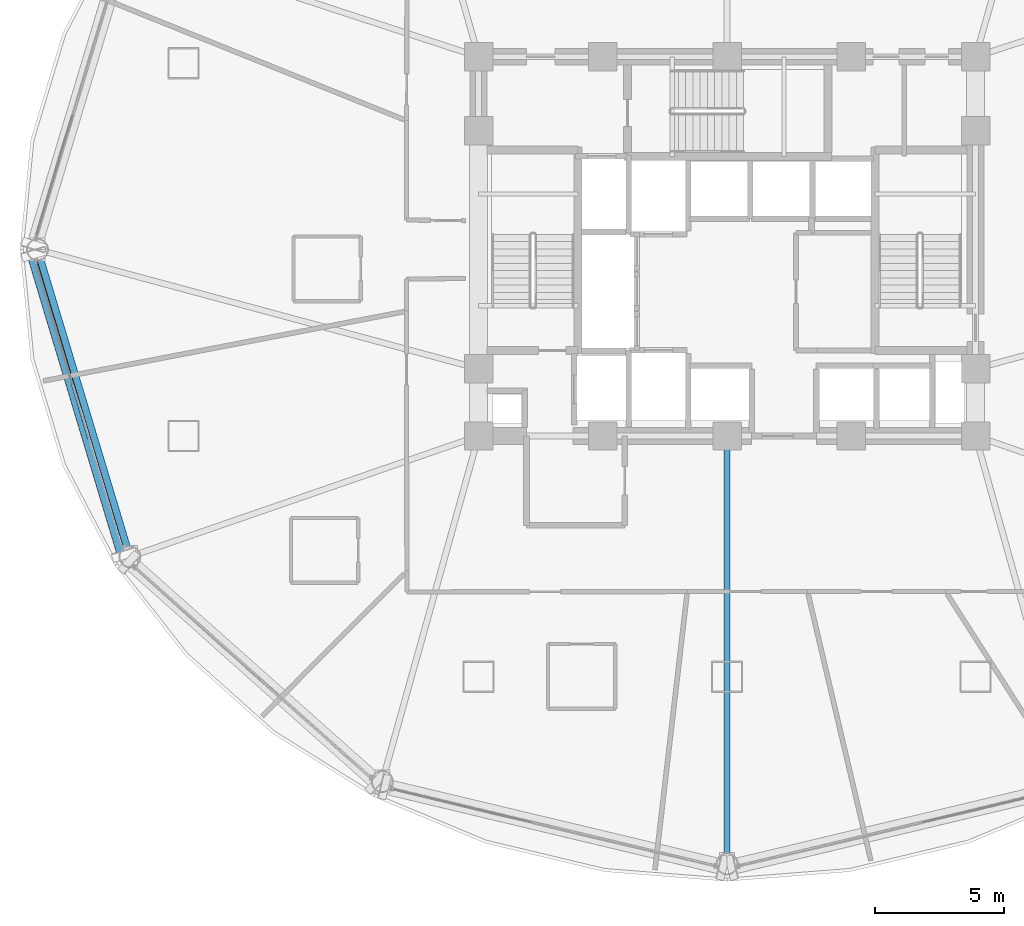
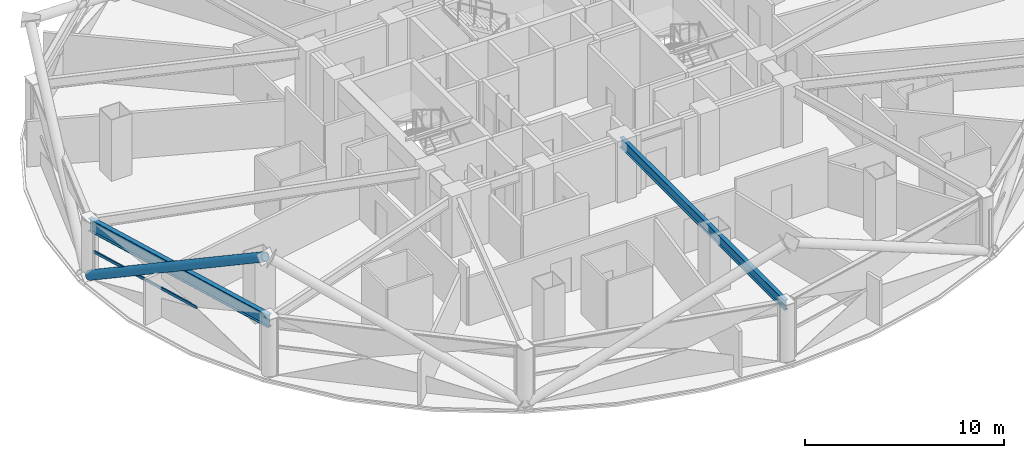
# One storey, part 5 of 31: 2 beams, 2 members, 1 element without a shape of its own.
"""IFC4 building model written with IfcOpenShell, lengths in metres."""

from ifc_helpers import new_model, si_unit, direction, frame, origin, origin_2d, place, context, subcontext, project, spatial, hollow_rectangle, hollow_circle, i_section, extrude, material, layer, layer_set, material_profile, profile_set, type_object, element, aggregate, save


model = new_model("IFC4")

# Units and contexts
model_context = context("Model", 3, precision=1e-05, world=origin(), true_north=direction((0.0, 1.0)))
body_context = subcontext(model_context, "Body", "Model", "MODEL_VIEW")
ifc_project = project(units=[si_unit("LENGTHUNIT", "METRE"), si_unit("AREAUNIT", "SQUARE_METRE"), si_unit("VOLUMEUNIT", "CUBIC_METRE"), si_unit("PLANEANGLEUNIT", "RADIAN"), si_unit("MASSUNIT", "GRAM", prefix="KILO")], contexts=[model_context])

# Site, building, storey
site_placement = place(None, origin())
site = spatial("IfcSite", under=ifc_project, at=site_placement, CompositionType="ELEMENT")
building_placement = place(site_placement, origin())
building = spatial("IfcBuilding", under=site, at=building_placement, Name="Vantalir Tower", CompositionType="ELEMENT")
storey_placement = place(building_placement, frame((0.0, 0.0, 42.0)))
storey = spatial("IfcBuildingStorey", under=building, at=storey_placement, Name="L09", CompositionType="ELEMENT", Elevation=42.0)

# Beams
ifc_material_1 = material(Name="Steel S355", Category="steel")
ifc_material_profile_1 = material_profile(ifc_material_1, i_section(OverallWidth=0.22998046875, OverallDepth=0.616943359375, WebThickness=0.01318359375, FlangeThickness=0.022216796875, at=origin_2d()), Name="Steel S355")
ifc_profile_set_1 = profile_set([ifc_material_profile_1], Name="Steel S355")
beam_type_1 = type_object("IfcBeamType", Name="BM-RB-610x229", PredefinedType="BEAM", material=ifc_profile_set_1)
beam_1_placement = place(storey_placement, frame((31.5, 1.27392578125, 3.261962890625), z_axis=(0.0, 1.0, 0.0), x_axis=(-1.0, 0.0, 0.0)))
element("IfcBeam", 1, at=beam_1_placement, inside=storey, type_object=beam_type_1, Name="L09 Radial Floor Beam 10", PredefinedType="BEAM", context=body_context, shape_type="SweptSolid", body=[
    extrude(i_section(OverallWidth=0.22998046875, OverallDepth=0.616943359375, WebThickness=0.01318359375, FlangeThickness=0.022216796875, at=origin_2d()), origin(), (0.0, 0.0, 1.0), 16.526123046875),
])
ifc_material_2 = material(Name="Steel S460", Category="steel")
ifc_material_profile_2 = material_profile(ifc_material_2, i_section(OverallWidth=0.26806640625, OverallDepth=0.77001953125, WebThickness=0.015625, FlangeThickness=0.025390625, at=origin_2d()), Name="Steel S460")
ifc_profile_set_2 = profile_set([ifc_material_profile_2], Name="Steel S460")
beam_type_2 = type_object("IfcBeamType", Name="BM-RG-762x267", PredefinedType="USERDEFINED", material=ifc_profile_set_2)
beam_2_placement = place(storey_placement, frame((4.861083984375, 25.0, 3.18505859375), z_axis=(0.288083666515, -0.957605242826, 0.0), x_axis=(0.957605242826, 0.288083666515, 0.0)))
element("IfcBeam", 2, at=beam_2_placement, inside=storey, type_object=beam_type_2, Name="L09 Circumferential Ring Girder 07", ObjectType="GIRDER", PredefinedType="USERDEFINED", context=body_context, shape_type="SweptSolid", body=[
    extrude(i_section(OverallWidth=0.26806640625, OverallDepth=0.77001953125, WebThickness=0.015625, FlangeThickness=0.025390625, at=origin_2d()), origin(), (0.0, 0.0, 1.0), 12.38818359375),
])

# Curtain wall, member
ifc_material_3 = material(Name="Champagne-silver PVDF aluminium and double-silver Low-E glass", Category="aluminium")
ifc_layer = layer(ifc_material_3, 0.18994140625)
ifc_layer_set = layer_set([ifc_layer], Name="Champagne-silver PVDF aluminium and double-silver Low-E glass")
curtain_wall_type = type_object("IfcCurtainWallType", Name="CW-DIAMOND-Z1", PredefinedType="USERDEFINED", material=ifc_layer_set)
curtain_wall_placement = place(storey_placement, origin())
curtain_wall = element("IfcCurtainWall", 3, at=curtain_wall_placement, inside=storey, type_object=curtain_wall_type, Name="L09 Quilted Pyramid-Diamond Curtain Wall S07", ObjectType="UNITISED CURTAIN WALL", PredefinedType="USERDEFINED")
ifc_material_4 = material(Name="Champagne-silver PVDF aluminium 6063-T6", Category="aluminium")
ifc_material_profile_3 = material_profile(ifc_material_4, hollow_rectangle(XDim=0.074951171875, YDim=0.159912109375, WallThickness=0.00390625, at=origin_2d()), Name="Champagne-silver PVDF aluminium 6063-T6")
ifc_profile_set_3 = profile_set([ifc_material_profile_3], Name="Champagne-silver PVDF aluminium 6063-T6")
member_type_1 = type_object("IfcMemberType", Name="CWT-160x75", PredefinedType="USERDEFINED", material=ifc_profile_set_3)
member_1_placement = place(storey_placement, frame((4.805908203125, 24.550048828125, 1.784912109375), z_axis=(0.284678104655, -0.95862316722, 0.0), x_axis=(0.95862316722, 0.284678104655, 0.0)))
member_1 = element("IfcMember", 4, at=member_1_placement, type_object=member_type_1, Name="CW-L09-S07 Pyramid Fold Ridge Transom", ObjectType="TRANSOM", PredefinedType="USERDEFINED", context=body_context, shape_type="SweptSolid", body=[
    extrude(hollow_rectangle(XDim=0.074951171875, YDim=0.159912109375, WallThickness=0.00390625, at=origin_2d()), origin(), (0.0, 0.0, 1.0), 7.1591796875),
])
aggregate(curtain_wall, [member_1])

# Member
ifc_material_profile_4 = material_profile(ifc_material_2, hollow_circle(Radius=0.27001953125, WallThickness=0.044921875, at=origin_2d()), Name="Steel S460")
ifc_profile_set_4 = profile_set([ifc_material_profile_4], Name="Steel S460")
member_type_2 = type_object("IfcMemberType", Name="MEM-DB-540x45", PredefinedType="BRACE", material=ifc_profile_set_4)
member_2_placement = place(storey_placement, frame((4.72607421875, 24.81689453125, 0.18896484375), z_axis=(0.249678116627, -0.830744006827, 0.497519078225), x_axis=(0.957681827063, 0.287828973719, 0.0)))
element("IfcMember", 5, at=member_2_placement, inside=storey, type_object=member_type_2, Name="L09 Perimeter S460 Diagrid Brace R19L", PredefinedType="BRACE", context=body_context, shape_type="SweptSolid", body=[
    extrude(hollow_circle(Radius=0.27001953125, WallThickness=0.044921875, at=origin_2d()), origin(), (0.0, 0.0, 1.0), 13.95361328125),
])

save(model, "model.ifc")
